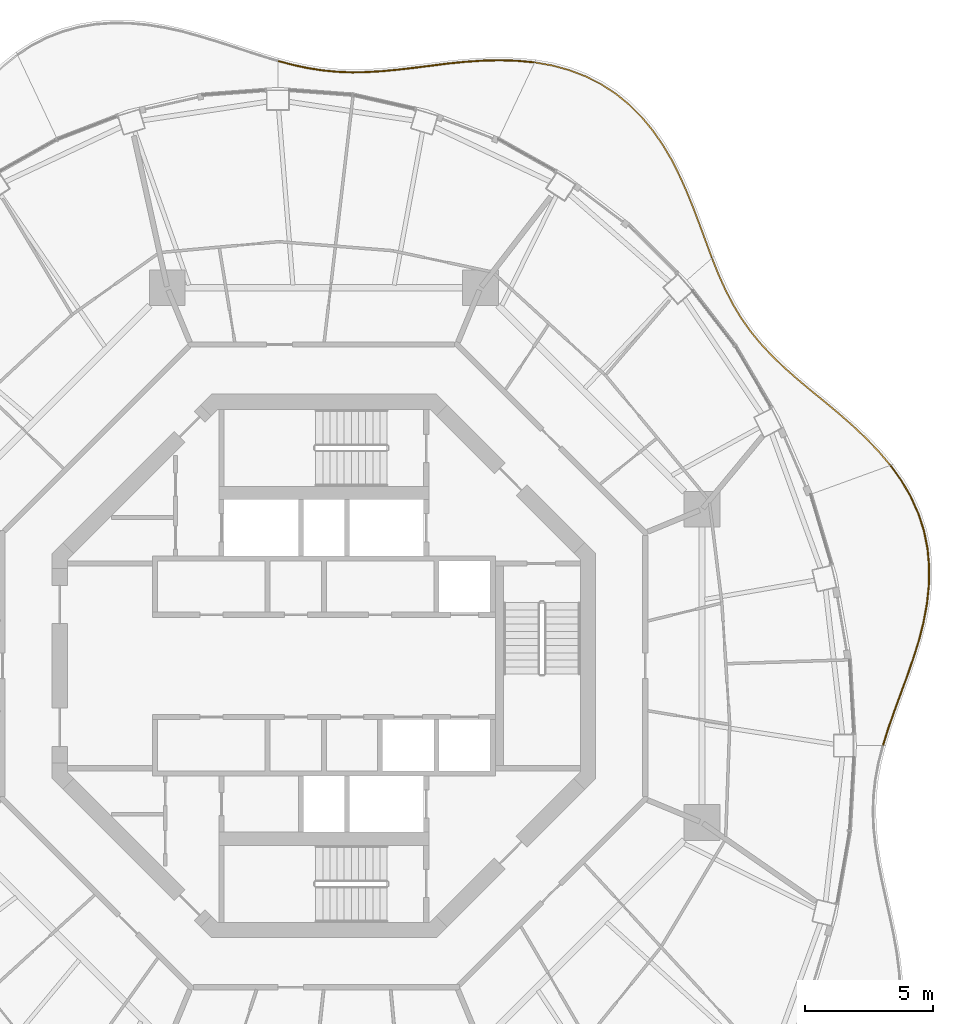
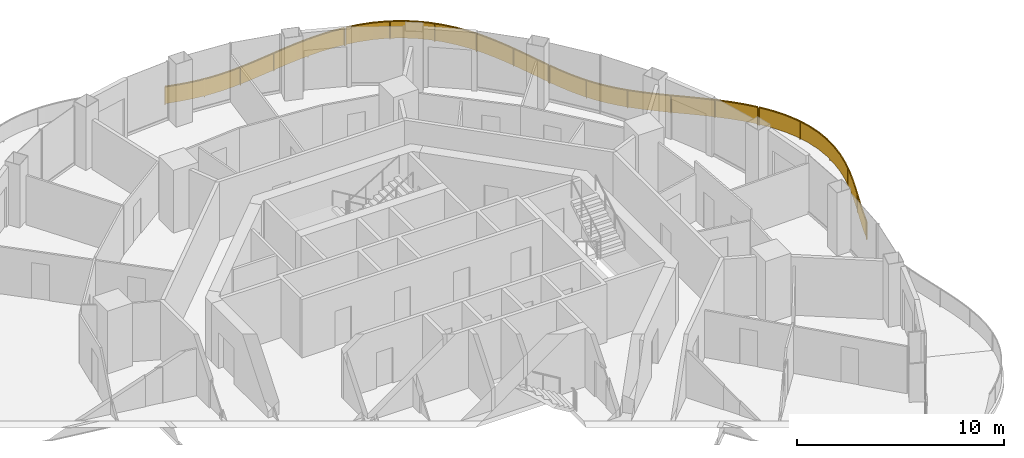
# One storey, part 18 of 18: 4 railings.
"""IFC4 building model written with IfcOpenShell, lengths in metres."""

import ifcopenshell
import ifcopenshell.guid

model = None  # the IFC model being written
_history = None  # IfcOwnerHistory: only IFC2X3 demands one
_inside = {}  # id of a spatial element -> (the spatial element, [elements in it])
_under = {}  # id of a project, library or spatial element -> (it, [spatial elements below it])
_declared = {}  # id of a project -> (the project, [libraries it declares])
_typed = {}  # id of a type object -> (the type object, [elements of that type])
_made_of = {}  # id of a material, layer set ... -> (it, [elements and type objects made of it])


def new_model(schema):
    """Start an empty IFC model of exactly this schema.

    Asked for "IFC4X3", IfcOpenShell would pick the latest addendum, in which some entities
    have other attributes; the version numbers below select the first issue.
    IFC2X3 requires an IfcOwnerHistory on every rooted entity: one is made here for all.
    """
    global model, _history
    if schema == "IFC4X3":
        model = ifcopenshell.file(schema_version=(4, 3, 0, 0))
    else:
        model = ifcopenshell.file(schema=schema)
    _inside.clear()
    _under.clear()
    _declared.clear()
    _typed.clear()
    _made_of.clear()
    _history = None
    if model.schema == "IFC2X3":
        org = make("IfcOrganization", Name="unknown")
        user = make(
            "IfcPersonAndOrganization",
            ThePerson=make("IfcPerson", FamilyName="unknown"),
            TheOrganization=org,
        )
        app = make(
            "IfcApplication",
            ApplicationDeveloper=org,
            Version="unknown",
            ApplicationFullName="unknown",
            ApplicationIdentifier="unknown",
        )
        _history = make(
            "IfcOwnerHistory",
            OwningUser=user,
            OwningApplication=app,
            ChangeAction="ADDED",
            CreationDate=0,
        )
    return model


def make(cls, **values):
    """One entity of the class cls with the attributes given. An attribute that is None is left unset."""
    return model.create_entity(
        cls, **{name: value for name, value in values.items() if value is not None}
    )


def rooted(cls, **values):
    """An entity with a GlobalId (a new one), such as an element, a storey or a relation."""
    return make(cls, GlobalId=ifcopenshell.guid.new(), OwnerHistory=_history, **values)


def si_unit(unit_type, name, prefix=None):
    """IfcSIUnit, for example si_unit("LENGTHUNIT", "METRE", prefix="MILLI")."""
    return make("IfcSIUnit", UnitType=unit_type, Prefix=prefix, Name=name)


def assignment(units):
    """IfcUnitAssignment: the units of a project."""
    return None if units is None else make("IfcUnitAssignment", Units=units)


def point(xyz):
    """IfcCartesianPoint."""
    return None if xyz is None else make("IfcCartesianPoint", Coordinates=xyz)


def direction(xyz):
    """IfcDirection."""
    return None if xyz is None else make("IfcDirection", DirectionRatios=xyz)


def frame(location, z_axis=None, x_axis=None):
    """IfcAxis2Placement3D, a coordinate frame: its origin and axes. An axis left out is left unset."""
    return make(
        "IfcAxis2Placement3D",
        Location=point(location),
        Axis=direction(z_axis),
        RefDirection=direction(x_axis),
    )


def frame_2d(location, x_axis=None):
    """IfcAxis2Placement2D, a coordinate frame in the plane: its origin and x axis."""
    return make(
        "IfcAxis2Placement2D", Location=point(location), RefDirection=direction(x_axis)
    )


def origin():
    """The frame at (0, 0, 0) with its axes left unset."""
    return frame((0.0, 0.0, 0.0))


def origin_2d():
    """The frame at (0, 0) in the plane with its x axis left unset."""
    return frame_2d((0.0, 0.0))


def place(relative_to, where):
    """IfcLocalPlacement: puts the frame where relative to a parent placement (None: the world)."""
    return make(
        "IfcLocalPlacement", PlacementRelTo=relative_to, RelativePlacement=where
    )


def context(
    kind, dimensions, precision=None, world=None, true_north=None, identifier=None
):
    """IfcGeometricRepresentationContext, for example the 3D "Model" context."""
    return make(
        "IfcGeometricRepresentationContext",
        ContextIdentifier=identifier,
        ContextType=kind,
        CoordinateSpaceDimension=dimensions,
        Precision=precision,
        WorldCoordinateSystem=world,
        TrueNorth=true_north,
    )


def subcontext(parent, identifier, kind, view, scale=None):
    """IfcGeometricRepresentationSubContext, for example "Body" below "Model"."""
    return make(
        "IfcGeometricRepresentationSubContext",
        ContextIdentifier=identifier,
        ContextType=kind,
        ParentContext=parent,
        TargetScale=scale,
        TargetView=view,
    )


def project(units=None, contexts=None):
    """IfcProject with its units and contexts."""
    return rooted(
        "IfcProject",
        Name="project",
        RepresentationContexts=contexts,
        UnitsInContext=assignment(units),
    )


def spatial(cls, under=None, at=None, **own):
    """A site, building, storey or space (cls), placed at a placement, below another one or the project."""
    s = rooted(cls, ObjectPlacement=at, **own)
    if under is not None:
        _under.setdefault(under.id(), (under, []))[1].append(s)
    return s


def polyline(points):
    """IfcPolyline through the points."""
    return make("IfcPolyline", Points=[point(p) for p in points])


def profile(cls, at=None, kind="AREA", **sizes):
    """A parametric profile (cls). Its sizes go by their IFC names, for example OverallWidth=200.0."""
    return make(cls, ProfileType=kind, Position=at, **sizes)


def rectangle(**sizes):
    """IfcRectangleProfileDef."""
    return profile("IfcRectangleProfileDef", **sizes)


def outline(outer, holes=None, kind="AREA"):
    """IfcArbitraryClosedProfileDef: a profile drawn as a closed curve; with holes, ...WithVoids."""
    if holes is None:
        return make("IfcArbitraryClosedProfileDef", ProfileType=kind, OuterCurve=outer)
    return make(
        "IfcArbitraryProfileDefWithVoids",
        ProfileType=kind,
        OuterCurve=outer,
        InnerCurves=holes,
    )


def extrude(swept, where, along, depth):
    """IfcExtrudedAreaSolid: the profile swept, set in the frame where, extruded along a direction by depth."""
    return make(
        "IfcExtrudedAreaSolid",
        SweptArea=swept,
        Position=where,
        ExtrudedDirection=direction(along),
        Depth=depth,
    )


def shape(context_of_items, identifier, shape_type, items):
    """IfcShapeRepresentation: the items that make up one representation, for example the "Body"."""
    return make(
        "IfcShapeRepresentation",
        ContextOfItems=context_of_items,
        RepresentationIdentifier=identifier,
        RepresentationType=shape_type,
        Items=items,
    )


def material(Name=None, Category=None):
    """IfcMaterial."""
    return make("IfcMaterial", Name=Name, Category=Category)


def made_of(thing, what):
    """Note that an element or type object is made of a material, layer set ...; save() writes the relation."""
    if what is not None:
        _made_of.setdefault(what.id(), (what, []))[1].append(thing)
    return thing


def type_object(cls, material=None, **own):
    """A type object (cls), such as IfcWallType, which elements share."""
    return made_of(rooted(cls, **own), material)


def element(
    cls,
    number,
    at=None,
    inside=None,
    cuts=None,
    type_object=None,
    material=None,
    context=None,
    identifier="Body",
    shape_type=None,
    held_by="IfcProductDefinitionShape",
    body=None,
    shapes=None,
    **own,
):
    """One element of the class cls, such as IfcWall. Its Tag is "e" and its number.

    at: its placement. inside: the storey or other place that contains it. cuts: it is an
    opening in that element (IfcRelVoidsElement). A single representation is given by context,
    identifier, shape_type and body (its items); several are given by shapes. held_by: the class
    of the entity that holds the representations. save() writes the other relations.
    """
    e = rooted(cls, Tag="e%d" % number, ObjectPlacement=at, **own)
    if body is not None:
        shapes = [shape(context, identifier, shape_type, body)]
    if shapes is not None:
        e.Representation = make(held_by, Representations=shapes)
    if inside is not None:
        _inside.setdefault(inside.id(), (inside, []))[1].append(e)
    if cuts is not None:
        rooted(
            "IfcRelVoidsElement", RelatingBuildingElement=cuts, RelatedOpeningElement=e
        )
    if type_object is not None:
        _typed.setdefault(type_object.id(), (type_object, []))[1].append(e)
    return made_of(e, material)


def aggregate(whole, parts):
    """IfcRelAggregates: a whole, such as a stair, and the parts it consists of."""
    return rooted("IfcRelAggregates", RelatingObject=whole, RelatedObjects=parts)


def save(model, path):
    """Write the relations noted so far, then the file.

    IfcRelAggregates (storeys below a building ...), IfcRelContainedInSpatialStructure (elements
    in a storey), IfcRelDefinesByType, IfcRelAssociatesMaterial and IfcRelDeclares: one each for
    every whole, place, type object, material and project.
    """
    for whole, parts in _under.values():
        aggregate(whole, parts)
    for where, things in _inside.values():
        rooted(
            "IfcRelContainedInSpatialStructure",
            RelatedElements=things,
            RelatingStructure=where,
        )
    for kind, things in _typed.values():
        rooted("IfcRelDefinesByType", RelatedObjects=things, RelatingType=kind)
    for what, things in _made_of.values():
        rooted("IfcRelAssociatesMaterial", RelatedObjects=things, RelatingMaterial=what)
    for by, libraries in _declared.values():
        rooted("IfcRelDeclares", RelatingContext=by, RelatedDefinitions=libraries)
    model.write(path)


model = new_model("IFC4")

# Units and contexts
model_context = context("Model", 3, precision=1e-05, world=origin(), true_north=direction((0.0, 1.0)))
body_context = subcontext(model_context, "Body", "Model", "MODEL_VIEW")
ifc_project = project(units=[si_unit("LENGTHUNIT", "METRE"), si_unit("AREAUNIT", "SQUARE_METRE"), si_unit("VOLUMEUNIT", "CUBIC_METRE"), si_unit("PLANEANGLEUNIT", "RADIAN"), si_unit("MASSUNIT", "GRAM", prefix="KILO")], contexts=[model_context])

# Site, building, storey
site_placement = place(None, origin())
site = spatial("IfcSite", under=ifc_project, at=site_placement, CompositionType="ELEMENT")
building_placement = place(site_placement, origin())
building = spatial("IfcBuilding", under=site, at=building_placement, Name="Nagisa Residences", CompositionType="ELEMENT")
storey_placement = place(building_placement, frame((0.0, 0.0, 284.39990234375)))
storey = spatial("IfcBuildingStorey", under=building, at=storey_placement, Name="L72", CompositionType="ELEMENT", Elevation=284.39990234375)

# Railings
ifc_material = material(Name="Stainless steel 316", Category="steel")
railing_type = type_object("IfcRailingType", Name="BALCONY GUARD 1100", PredefinedType="BALUSTRADE", material=ifc_material)
railing_1_placement = place(storey_placement, frame((21.864013671875, -3.08349609375, 0.0)))
element("IfcRailing", 1, at=railing_1_placement, inside=storey, type_object=railing_type, Name="guard:L72:bal00-0", PredefinedType="BALUSTRADE", context=body_context, shape_type="SweptSolid", body=[
    extrude(outline(polyline([(0.169189453125, 0.6240234375), (-0.02392578125, 0.007568359375), (0.02392578125, -0.007568359375), (0.216552734375, 0.6083984375), (0.449462890625, 1.275634765625), (0.69873046875, 1.9560546875), (0.952392578125, 2.6494140625), (1.196044921875, 3.35595703125), (1.418701171875, 4.059814453125), (1.60302734375, 4.786376953125), (1.73876953125, 5.517578125), (1.814697265625, 6.249267578125), (1.8232421875, 6.97607421875), (1.76025390625, 7.6796875), (1.61669921875, 8.381103515625), (1.3955078125, 9.0625), (1.0986328125, 9.719482421875), (0.731689453125, 10.348876953125), (0.328125, 10.91015625), (0.28759765625, 10.880859375), (0.689697265625, 10.321533203125), (1.05419921875, 9.696533203125), (1.3486328125, 9.04443359375), (1.568359375, 8.368408203125), (1.71044921875, 7.67236328125), (1.77294921875, 6.97412109375), (1.764892578125, 6.252197265625), (1.68896484375, 5.52490234375), (1.55419921875, 4.797119140625), (1.370361328125, 4.073486328125), (1.148681640625, 3.37158203125), (0.905029296875, 2.666015625), (0.65185546875, 1.97314453125), (0.402099609375, 1.292724609375), (0.169189453125, 0.6240234375)])), frame((0.0, 0.0, 1.050048828125)), (0.0, 0.0, 1.0), 0.050048828125),
    extrude(outline(polyline([(0.186279296875, 0.618408203125), (-0.006591796875, 0.002197265625), (0.006591796875, -0.002197265625), (0.199462890625, 0.614013671875), (0.432373046875, 1.28173828125), (0.681884765625, 1.962158203125), (0.935302734375, 2.6552734375), (1.178955078125, 3.361572265625), (1.4013671875, 4.064697265625), (1.58544921875, 4.790283203125), (1.720703125, 5.520263671875), (1.796875, 6.250244140625), (1.80517578125, 6.975341796875), (1.7421875, 7.677001953125), (1.599365234375, 8.37646484375), (1.378662109375, 9.055908203125), (1.082763671875, 9.711181640625), (0.716552734375, 10.339111328125), (0.3134765625, 10.899658203125), (0.30224609375, 10.891357421875), (0.704833984375, 10.331298828125), (1.070068359375, 9.704833984375), (1.365478515625, 9.051025390625), (1.585693359375, 8.373046875), (1.728515625, 7.675048828125), (1.791015625, 6.974853515625), (1.78271484375, 6.251220703125), (1.70703125, 5.522216796875), (1.57177734375, 4.793212890625), (1.3876953125, 4.068603515625), (1.165771484375, 3.365966796875), (0.922119140625, 2.66015625), (0.668701171875, 1.967041015625), (0.419189453125, 1.28662109375), (0.186279296875, 0.618408203125)])), frame((0.0, 0.0, 0.06005859375)), (0.0, 0.0, 1.0), 0.989990234375),
    extrude(rectangle(XDim=0.0400390625, YDim=0.0400390625, at=origin_2d()), origin(), (0.0, 0.0, 1.0), 1.050048828125),
    extrude(rectangle(XDim=0.0400390625, YDim=0.0400390625, at=origin_2d()), frame((0.75244140625, 2.175537109375, 0.0)), (0.0, 0.0, 1.0), 1.050048828125),
    extrude(rectangle(XDim=0.0400390625, YDim=0.0400390625, at=origin_2d()), frame((1.4697265625, 4.362548828125, 0.0)), (0.0, 0.0, 1.0), 1.050048828125),
    extrude(rectangle(XDim=0.0400390625, YDim=0.0400390625, at=origin_2d()), frame((1.794189453125, 6.635009765625, 0.0)), (0.0, 0.0, 1.0), 1.050048828125),
    extrude(rectangle(XDim=0.0400390625, YDim=0.0400390625, at=origin_2d()), frame((1.424072265625, 8.8935546875, 0.0)), (0.0, 0.0, 1.0), 1.050048828125),
    extrude(rectangle(XDim=0.0400390625, YDim=0.0400390625, at=origin_2d()), frame((0.307861328125, 10.8955078125, 0.0)), (0.0, 0.0, 1.0), 1.050048828125),
])
railing_2_placement = place(storey_placement, frame((22.123779296875, 7.87255859375, 0.0)))
element("IfcRailing", 2, at=railing_2_placement, inside=storey, type_object=railing_type, Name="guard:L72:bal01-0", PredefinedType="BALUSTRADE", context=body_context, shape_type="SweptSolid", body=[
    extrude(outline(polyline([(-0.45556640625, 0.49853515625), (-0.01904296875, -0.01611328125), (0.01904296875, 0.01611328125), (-0.41845703125, 0.5322265625), (-0.923583984375, 1.057861328125), (-1.456298828125, 1.55859375), (-2.0048828125, 2.037841796875), (-2.55810546875, 2.500244140625), (-3.097900390625, 2.938232421875), (-3.62744140625, 3.38427734375), (-4.1318359375, 3.831298828125), (-4.604736328125, 4.286865234375), (-5.04150390625, 4.756103515625), (-5.431396484375, 5.23291015625), (-5.7919921875, 5.746337890625), (-6.116943359375, 6.287353515625), (-6.4111328125, 6.857666015625), (-6.680419921875, 7.457763671875), (-6.915283203125, 8.04443359375), (-6.961669921875, 8.02587890625), (-6.726318359375, 7.438232421875), (-6.4560546875, 6.836181640625), (-6.160888671875, 6.262939453125), (-5.833984375, 5.718994140625), (-5.471435546875, 5.20263671875), (-5.0791015625, 4.723388671875), (-4.640380859375, 4.251708984375), (-4.166015625, 3.794677734375), (-3.66015625, 3.34619140625), (-3.129638671875, 2.899658203125), (-2.58984375, 2.461669921875), (-2.03759765625, 1.999755859375), (-1.489990234375, 1.521484375), (-0.958740234375, 1.022216796875), (-0.45556640625, 0.49853515625)])), frame((0.0, 0.0, 1.050048828125)), (0.0, 0.0, 1.0), 0.050048828125),
    extrude(outline(polyline([(-0.442138671875, 0.5107421875), (-0.00537109375, -0.004638671875), (0.00537109375, 0.004638671875), (-0.431884765625, 0.52001953125), (-0.936279296875, 1.044921875), (-1.468505859375, 1.545166015625), (-2.0166015625, 2.024169921875), (-2.569580078125, 2.486328125), (-3.109375, 2.92431640625), (-3.63916015625, 3.37060546875), (-4.144287109375, 3.818115234375), (-4.61767578125, 4.274169921875), (-5.054931640625, 4.744384765625), (-5.44580078125, 5.221923828125), (-5.80712890625, 5.736572265625), (-6.1328125, 6.278564453125), (-6.42724609375, 6.849853515625), (-6.697021484375, 7.45068359375), (-6.931884765625, 8.037841796875), (-6.945068359375, 8.032470703125), (-6.709716796875, 7.4453125), (-6.43994140625, 6.843994140625), (-6.14501953125, 6.271728515625), (-5.81884765625, 5.728759765625), (-5.45703125, 5.213623046875), (-5.065673828125, 4.735107421875), (-4.62744140625, 4.264404296875), (-4.153564453125, 3.807861328125), (-3.6484375, 3.35986328125), (-3.1181640625, 2.91357421875), (-2.578369140625, 2.4755859375), (-2.02587890625, 2.013427734375), (-1.477783203125, 1.534912109375), (-0.946044921875, 1.03515625), (-0.442138671875, 0.5107421875)])), frame((0.0, 0.0, 0.06005859375)), (0.0, 0.0, 1.0), 0.989990234375),
    extrude(rectangle(XDim=0.0400390625, YDim=0.0400390625, at=origin_2d()), origin(), (0.0, 0.0, 1.0), 1.050048828125),
    extrude(rectangle(XDim=0.0400390625, YDim=0.0400390625, at=origin_2d()), frame((-1.487060546875, 1.55224609375, 0.0)), (0.0, 0.0, 1.0), 1.050048828125),
    extrude(rectangle(XDim=0.0400390625, YDim=0.0400390625, at=origin_2d()), frame((-3.13427734375, 2.936279296875, 0.0)), (0.0, 0.0, 1.0), 1.050048828125),
    extrude(rectangle(XDim=0.0400390625, YDim=0.0400390625, at=origin_2d()), frame((-4.726806640625, 4.38134765625, 0.0)), (0.0, 0.0, 1.0), 1.050048828125),
    extrude(rectangle(XDim=0.0400390625, YDim=0.0400390625, at=origin_2d()), frame((-6.027099609375, 6.0888671875, 0.0)), (0.0, 0.0, 1.0), 1.050048828125),
    extrude(rectangle(XDim=0.0400390625, YDim=0.0400390625, at=origin_2d()), frame((-6.9384765625, 8.03515625, 0.0)), (0.0, 0.0, 1.0), 1.050048828125),
])
railing_3_placement = place(storey_placement, frame((15.160400390625, 15.9775390625, 0.0)))
element("IfcRailing", 3, at=railing_3_placement, inside=storey, type_object=railing_type, Name="guard:L72:bal02-0", PredefinedType="BALUSTRADE", context=body_context, shape_type="SweptSolid", body=[
    extrude(outline(polyline([(-0.2392578125, 0.570556640625), (-0.0234375, -0.0087890625), (0.0234375, 0.0087890625), (-0.1923828125, 0.588134765625), (-0.426513671875, 1.224609375), (-0.670166015625, 1.871337890625), (-0.931884765625, 2.52099609375), (-1.21826171875, 3.16552734375), (-1.525146484375, 3.785400390625), (-1.882080078125, 4.392822265625), (-2.2802734375, 4.968017578125), (-2.722900390625, 5.50244140625), (-3.210693359375, 5.989013671875), (-3.73193359375, 6.413330078125), (-4.303466796875, 6.7841796875), (-4.91552734375, 7.09423828125), (-5.560791015625, 7.34033203125), (-6.2333984375, 7.5234375), (-6.879150390625, 7.636474609375), (-6.887939453125, 7.587158203125), (-6.244140625, 7.474609375), (-5.576416015625, 7.29248046875), (-4.93603515625, 7.04833984375), (-4.328369140625, 6.74072265625), (-3.76123046875, 6.372802734375), (-3.244384765625, 5.951904296875), (-2.760009765625, 5.46875), (-2.3203125, 4.937744140625), (-1.924072265625, 4.365966796875), (-1.569091796875, 3.761474609375), (-1.263671875, 3.14404296875), (-0.977783203125, 2.50146484375), (-0.717041015625, 1.853271484375), (-0.473388671875, 1.20703125), (-0.2392578125, 0.570556640625)])), frame((0.0, 0.0, 1.050048828125)), (0.0, 0.0, 1.0), 0.050048828125),
    extrude(outline(polyline([(-0.222412109375, 0.576904296875), (-0.006591796875, -0.00244140625), (0.006591796875, 0.00244140625), (-0.209228515625, 0.581787109375), (-0.443359375, 1.21826171875), (-0.68701171875, 1.86474609375), (-0.948486328125, 2.513916015625), (-1.234619140625, 3.15771484375), (-1.541015625, 3.77685546875), (-1.897216796875, 4.383056640625), (-2.294677734375, 4.95703125), (-2.736328125, 5.490234375), (-3.222900390625, 5.9755859375), (-3.742431640625, 6.398681640625), (-4.3125, 6.7685546875), (-4.9228515625, 7.07763671875), (-5.56640625, 7.322998046875), (-6.2373046875, 7.505859375), (-6.88232421875, 7.61865234375), (-6.884765625, 7.60498046875), (-6.240234375, 7.4921875), (-5.57080078125, 7.309814453125), (-4.9287109375, 7.06494140625), (-4.3193359375, 6.75634765625), (-3.750732421875, 6.387451171875), (-3.232177734375, 5.96533203125), (-2.74658203125, 5.48095703125), (-2.305908203125, 4.94873046875), (-1.908935546875, 4.375732421875), (-1.55322265625, 3.77001953125), (-1.247314453125, 3.15185546875), (-0.961181640625, 2.508544921875), (-0.7001953125, 1.85986328125), (-0.45654296875, 1.21337890625), (-0.222412109375, 0.576904296875)])), frame((0.0, 0.0, 0.06005859375)), (0.0, 0.0, 1.0), 0.989990234375),
    extrude(rectangle(XDim=0.0400390625, YDim=0.0400390625, at=origin_2d()), origin(), (0.0, 0.0, 1.0), 1.050048828125),
    extrude(rectangle(XDim=0.0400390625, YDim=0.0400390625, at=origin_2d()), frame((-0.767822265625, 2.04638671875, 0.0)), (0.0, 0.0, 1.0), 1.050048828125),
    extrude(rectangle(XDim=0.0400390625, YDim=0.0400390625, at=origin_2d()), frame((-1.694091796875, 4.023681640625, 0.0)), (0.0, 0.0, 1.0), 1.050048828125),
    extrude(rectangle(XDim=0.0400390625, YDim=0.0400390625, at=origin_2d()), frame((-3.01318359375, 5.756591796875, 0.0)), (0.0, 0.0, 1.0), 1.050048828125),
    extrude(rectangle(XDim=0.0400390625, YDim=0.0400390625, at=origin_2d()), frame((-4.793212890625, 7.004150390625, 0.0)), (0.0, 0.0, 1.0), 1.050048828125),
    extrude(rectangle(XDim=0.0400390625, YDim=0.0400390625, at=origin_2d()), frame((-6.883544921875, 7.61181640625, 0.0)), (0.0, 0.0, 1.0), 1.050048828125),
])
railing_4_placement = place(storey_placement, frame((8.199951171875, 23.59912109375, 0.0)))
element("IfcRailing", 4, at=railing_4_placement, inside=storey, type_object=railing_type, Name="guard:L72:bal03-0", PredefinedType="BALUSTRADE", context=body_context, shape_type="SweptSolid", body=[
    extrude(outline(polyline([(-0.633544921875, 0.034912109375), (-0.00244140625, -0.02490234375), (0.00244140625, 0.02490234375), (-0.630615234375, 0.084716796875), (-1.31787109375, 0.1064453125), (-2.005859375, 0.08984375), (-2.689697265625, 0.04345703125), (-3.365234375, -0.0234375), (-4.01171875, -0.10693359375), (-4.660888671875, -0.1875), (-5.295166015625, -0.261474609375), (-5.9140625, -0.3203125), (-6.51904296875, -0.357177734375), (-7.0947265625, -0.36865234375), (-7.678955078125, -0.345947265625), (-8.2578125, -0.2890625), (-8.83544921875, -0.197998046875), (-9.41552734375, -0.07373046875), (-9.958984375, 0.0693359375), (-9.9716796875, 0.02099609375), (-9.42724609375, -0.12255859375), (-8.8447265625, -0.247314453125), (-8.26416015625, -0.3388671875), (-7.682373046875, -0.395751953125), (-7.09521484375, -0.4189453125), (-6.51708984375, -0.406982421875), (-5.91015625, -0.3701171875), (-5.289794921875, -0.311279296875), (-4.655029296875, -0.2373046875), (-4.00537109375, -0.15673828125), (-3.359375, -0.0732421875), (-2.685302734375, -0.00634765625), (-2.00341796875, 0.0400390625), (-1.31787109375, 0.05615234375), (-0.633544921875, 0.034912109375)])), frame((0.0, 0.0, 1.050048828125)), (0.0, 0.0, 1.0), 0.050048828125),
    extrude(outline(polyline([(-0.632568359375, 0.052734375), (-0.000732421875, -0.007080078125), (0.000732421875, 0.007080078125), (-0.631591796875, 0.06689453125), (-1.31787109375, 0.08837890625), (-2.0048828125, 0.072021484375), (-2.68798828125, 0.025634765625), (-3.363037109375, -0.04150390625), (-4.009521484375, -0.125), (-4.65869140625, -0.20556640625), (-5.293212890625, -0.279296875), (-5.91259765625, -0.338134765625), (-6.518310546875, -0.375), (-7.094970703125, -0.38671875), (-7.68017578125, -0.36376953125), (-8.260009765625, -0.30712890625), (-8.8388671875, -0.2158203125), (-9.419677734375, -0.09130859375), (-9.963623046875, 0.052001953125), (-9.967041015625, 0.038330078125), (-9.423095703125, -0.10498046875), (-8.84130859375, -0.2294921875), (-8.261962890625, -0.32080078125), (-7.68115234375, -0.3779296875), (-7.094970703125, -0.40087890625), (-6.517822265625, -0.38916015625), (-5.91162109375, -0.352294921875), (-5.291748046875, -0.29345703125), (-4.6572265625, -0.21923828125), (-4.007568359375, -0.138671875), (-3.361572265625, -0.05517578125), (-2.68701171875, 0.011474609375), (-2.00439453125, 0.057861328125), (-1.31787109375, 0.07421875), (-0.632568359375, 0.052734375)])), frame((0.0, 0.0, 0.06005859375)), (0.0, 0.0, 1.0), 0.989990234375),
    extrude(rectangle(XDim=0.0400390625, YDim=0.0400390625, at=origin_2d()), origin(), (0.0, 0.0, 1.0), 1.050048828125),
    extrude(rectangle(XDim=0.0400390625, YDim=0.0400390625, at=origin_2d()), frame((-2.00341796875, 0.06494140625, 0.0)), (0.0, 0.0, 1.0), 1.050048828125),
    extrude(rectangle(XDim=0.0400390625, YDim=0.0400390625, at=origin_2d()), frame((-4.000244140625, -0.130859375, 0.0)), (0.0, 0.0, 1.0), 1.050048828125),
    extrude(rectangle(XDim=0.0400390625, YDim=0.0400390625, at=origin_2d()), frame((-5.994873046875, -0.350341796875, 0.0)), (0.0, 0.0, 1.0), 1.050048828125),
    extrude(rectangle(XDim=0.0400390625, YDim=0.0400390625, at=origin_2d()), frame((-7.99853515625, -0.339599609375, 0.0)), (0.0, 0.0, 1.0), 1.050048828125),
    extrude(rectangle(XDim=0.0400390625, YDim=0.0400390625, at=origin_2d()), frame((-9.96533203125, 0.045166015625, 0.0)), (0.0, 0.0, 1.0), 1.050048828125),
])

save(model, "model.ifc")
